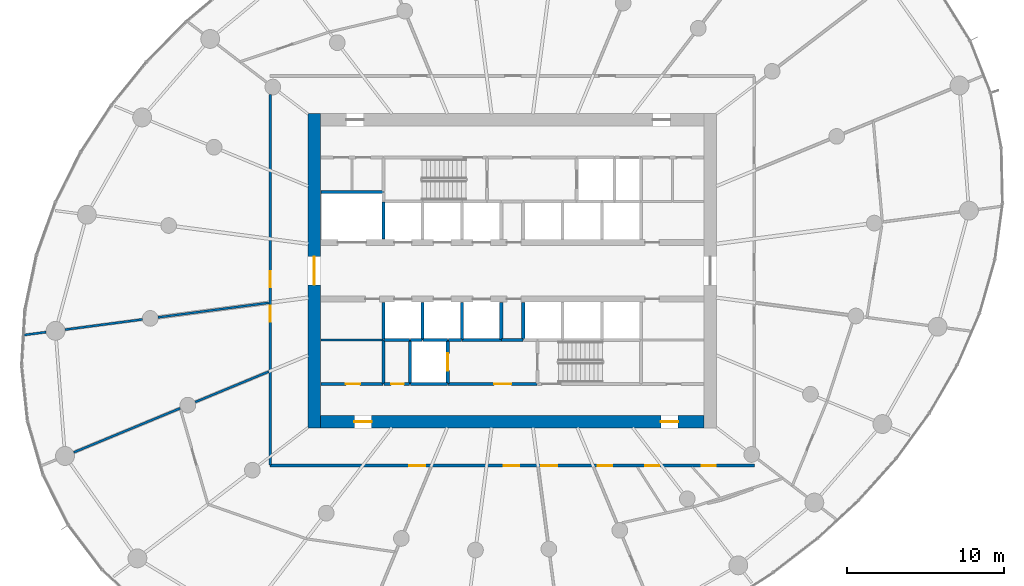
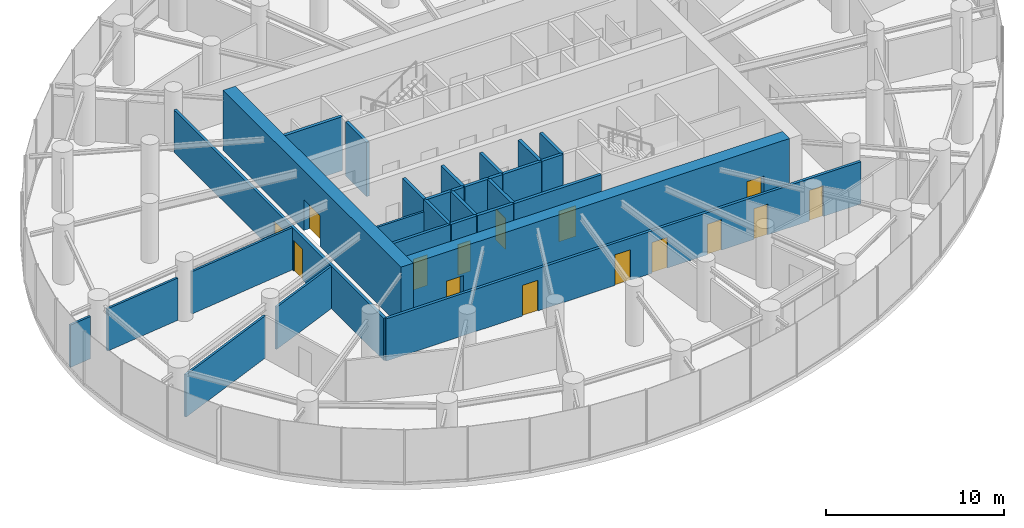
# One storey, part 10 of 17: 30 walls, 15 doors, 15 openings.
"""IFC4 building model written with IfcOpenShell, lengths in metres."""

from ifc_helpers import new_model, si_unit, direction, frame, frame_2d, origin, place, context, subcontext, project, spatial, rectangle, extrude, source, transform, mapped, material, layer, layer_set, type_object, element, fill, save


model = new_model("IFC4")

# Units and contexts
model_context = context("Model", 3, precision=1e-05, world=origin(), true_north=direction((0.0, 1.0)))
body_context = subcontext(model_context, "Body", "Model", "MODEL_VIEW")
ifc_project = project(units=[si_unit("LENGTHUNIT", "METRE"), si_unit("AREAUNIT", "SQUARE_METRE"), si_unit("VOLUMEUNIT", "CUBIC_METRE"), si_unit("PLANEANGLEUNIT", "RADIAN"), si_unit("MASSUNIT", "GRAM", prefix="KILO")], contexts=[model_context])

# Site, building, storey
site_placement = place(None, origin())
site = spatial("IfcSite", under=ifc_project, at=site_placement, CompositionType="ELEMENT")
building_placement = place(site_placement, origin())
building = spatial("IfcBuilding", under=site, at=building_placement, Name="Spindrift Exchange Tower", CompositionType="ELEMENT")
storey_placement = place(building_placement, frame((0.0, 0.0, 104.39990234375)))
storey = spatial("IfcBuildingStorey", under=building, at=storey_placement, Name="L24", CompositionType="ELEMENT", Elevation=104.39990234375)

# Wall, opening, door
ifc_material_1 = material(Name="Concrete 65 MPa", Category="concrete")
ifc_layer_1 = layer(ifc_material_1, 0.800048828125)
ifc_layer_set_1 = layer_set([ifc_layer_1], Name="RC Core Wall 800 Concrete 65 MPa")
wall_type_1 = type_object("IfcWallType", Name="RC Core Wall 800 Concrete 65 MPa", PredefinedType="SHEAR", material=ifc_layer_set_1)
wall_1_placement = place(storey_placement, frame((39.39990234375, 58.0, 0.0), z_axis=(0.0, 0.0, 1.0), x_axis=(0.0, -1.0, 0.0)))
wall_1 = element("IfcWall", 1, at=wall_1_placement, inside=storey, type_object=wall_type_1, Name="Core wall W L24", PredefinedType="SHEAR", context=body_context, shape_type="SweptSolid", body=[
    extrude(rectangle(XDim=20.0, YDim=0.800048828125, at=frame_2d((10.0, 0.0))), origin(), (0.0, 0.0, 1.0), 4.10009765625),
])
opening_1_placement = place(wall_1_placement, frame((9.10009765625, 0.0, 0.0)))
opening_1 = element("IfcOpeningElement", 2, at=opening_1_placement, cuts=wall_1, Name="Opening L24-D1", PredefinedType="OPENING", context=body_context, shape_type="SweptSolid", body=[
    extrude(rectangle(XDim=1.800048828125, YDim=2.10009765625, at=frame_2d((0.89990234375, 1.050048828125))), frame((0.0, 0.409912109375, 0.0), z_axis=(0.0, -1.0, 0.0), x_axis=(1.0, 0.0, 0.0)), (0.0, 0.0, 1.0), 0.820068359375),
])
ifc_material_2 = material(Name="Timber-core fire door", Category="wood")
door_type_1 = type_object("IfcDoorType", Name="DR-LOBBY-1800", OperationType="NOTDEFINED", PredefinedType="DOOR", material=ifc_material_2)
shared_shape_1 = source(origin(), body_context, "Body", "SweptSolid", [
    extrude(rectangle(XDim=1.800048828125, YDim=2.10009765625, at=frame_2d((0.89990234375, 1.050048828125))), frame((0.0, 0.02490234375, 0.0), z_axis=(0.0, -1.0, 0.0), x_axis=(1.0, 0.0, 0.0)), (0.0, 0.0, 1.0), 0.050048828125),
])
door_1_placement = place(opening_1_placement, origin())
door_1 = element("IfcDoor", 3, at=door_1_placement, inside=storey, type_object=door_type_1, Name="L24 Lobby door 1", OperationType="SINGLE_SWING_LEFT", OverallHeight=2.10009765625, OverallWidth=1.800048828125, PredefinedType="DOOR", context=body_context, shape_type="MappedRepresentation", body=[
    mapped(shared_shape_1, transform((0.0, 0.0, 0.0), scale=1.0)),
])
fill(opening_1, door_1)

# Wall, openings, doors
wall_2_placement = place(storey_placement, frame((39.800048828125, 38.39990234375, 0.0), z_axis=(0.0, 0.0, 1.0), x_axis=(1.0, 0.0, 0.0)))
wall_2 = element("IfcWall", 4, at=wall_2_placement, inside=storey, type_object=wall_type_1, Name="Core wall S L24", PredefinedType="SHEAR", context=body_context, shape_type="SweptSolid", body=[
    extrude(rectangle(XDim=24.39990234375, YDim=0.800048828125, at=frame_2d((12.199951171875, 0.0))), origin(), (0.0, 0.0, 1.0), 4.10009765625),
])
opening_2_placement = place(wall_2_placement, frame((21.64990234375, 0.0, 0.0)))
opening_2 = element("IfcOpeningElement", 5, at=opening_2_placement, cuts=wall_2, Name="Opening L24-D22", PredefinedType="OPENING", context=body_context, shape_type="SweptSolid", body=[
    extrude(rectangle(XDim=1.10009765625, YDim=2.10009765625, at=frame_2d((0.550048828125, 1.050048828125))), frame((0.0, 0.409912109375, 0.0), z_axis=(0.0, -1.0, 0.0), x_axis=(1.0, 0.0, 0.0)), (0.0, 0.0, 1.0), 0.820068359375),
])
opening_3_placement = place(wall_2_placement, frame((2.14990234375, 0.0, 0.0)))
opening_3 = element("IfcOpeningElement", 6, at=opening_3_placement, cuts=wall_2, Name="Opening L24-D23", PredefinedType="OPENING", context=body_context, shape_type="SweptSolid", body=[
    extrude(rectangle(XDim=1.10009765625, YDim=2.10009765625, at=frame_2d((0.550048828125, 1.050048828125))), frame((0.0, 0.409912109375, 0.0), z_axis=(0.0, -1.0, 0.0), x_axis=(1.0, 0.0, 0.0)), (0.0, 0.0, 1.0), 0.820068359375),
])
ifc_material_3 = material(Name="Steel fire door", Category="steel")
door_type_2 = type_object("IfcDoorType", Name="DR-STAIR-1100", OperationType="NOTDEFINED", PredefinedType="DOOR", material=ifc_material_3)
shared_shape_2 = source(origin(), body_context, "Body", "SweptSolid", [
    extrude(rectangle(XDim=1.10009765625, YDim=2.10009765625, at=frame_2d((0.550048828125, 1.050048828125))), frame((0.0, 0.02490234375, 0.0), z_axis=(0.0, -1.0, 0.0), x_axis=(1.0, 0.0, 0.0)), (0.0, 0.0, 1.0), 0.050048828125),
])
door_2_placement = place(opening_2_placement, origin())
door_2 = element("IfcDoor", 7, at=door_2_placement, inside=storey, type_object=door_type_2, Name="L24 Stair door 22", OperationType="SINGLE_SWING_RIGHT", OverallHeight=2.10009765625, OverallWidth=1.10009765625, PredefinedType="DOOR", context=body_context, shape_type="MappedRepresentation", body=[
    mapped(shared_shape_2, transform((0.0, 0.0, 0.0), scale=1.0)),
])
fill(opening_2, door_2)
door_3_placement = place(opening_3_placement, origin())
door_3 = element("IfcDoor", 8, at=door_3_placement, inside=storey, type_object=door_type_2, Name="L24 Stair door 23", OperationType="SINGLE_SWING_LEFT", OverallHeight=2.10009765625, OverallWidth=1.10009765625, PredefinedType="DOOR", context=body_context, shape_type="MappedRepresentation", body=[
    mapped(shared_shape_2, transform((0.0, 0.0, 0.0), scale=1.0)),
])
fill(opening_3, door_3)

# Wall, opening, door
ifc_material_4 = material(Name="Fire-rated plasterboard partition", Category="gypsum")
ifc_layer_2 = layer(ifc_material_4, 0.179931640625)
ifc_layer_set_2 = layer_set([ifc_layer_2], Name="W-CORR-180")
wall_type_2 = type_object("IfcWallType", Name="W-CORR-180", PredefinedType="PARTITIONING", material=ifc_layer_set_2)
wall_3_placement = place(storey_placement, frame((39.820068359375, 40.800048828125, 0.0), z_axis=(0.0, 0.0, 1.0), x_axis=(1.0, 0.0, 0.0)))
wall_3 = element("IfcWall", 9, at=wall_3_placement, inside=storey, type_object=wall_type_2, Name="L24 Partition wall 63", PredefinedType="PARTITIONING", context=body_context, shape_type="SweptSolid", body=[
    extrude(rectangle(XDim=3.949951171875, YDim=0.179931640625, at=frame_2d((1.97509765625, 0.0))), origin(), (0.0, 0.0, 1.0), 3.7001953125),
])
opening_4_placement = place(wall_3_placement, frame((1.60009765625, 0.0, 0.0)))
opening_4 = element("IfcOpeningElement", 10, at=opening_4_placement, cuts=wall_3, Name="Opening L24-D48", PredefinedType="OPENING", context=body_context, shape_type="SweptSolid", body=[
    extrude(rectangle(XDim=0.89990234375, YDim=2.10009765625, at=frame_2d((0.449951171875, 1.050048828125))), frame((0.0, 0.099853515625, 0.0), z_axis=(0.0, -1.0, 0.0), x_axis=(1.0, 0.0, 0.0)), (0.0, 0.0, 1.0), 0.199951171875),
])
ifc_material_5 = material(Name="Steel access door", Category="steel")
door_type_3 = type_object("IfcDoorType", Name="DR-RISER-900", OperationType="NOTDEFINED", PredefinedType="DOOR", material=ifc_material_5)
shared_shape_3 = source(origin(), body_context, "Body", "SweptSolid", [
    extrude(rectangle(XDim=0.89990234375, YDim=2.10009765625, at=frame_2d((0.449951171875, 1.050048828125))), frame((0.0, 0.02490234375, 0.0), z_axis=(0.0, -1.0, 0.0), x_axis=(1.0, 0.0, 0.0)), (0.0, 0.0, 1.0), 0.050048828125),
])
door_4_placement = place(opening_4_placement, origin())
door_4 = element("IfcDoor", 11, at=door_4_placement, inside=storey, type_object=door_type_3, Name="L24 Riser door 48", OperationType="SINGLE_SWING_RIGHT", OverallHeight=2.10009765625, OverallWidth=0.89990234375, PredefinedType="DOOR", context=body_context, shape_type="MappedRepresentation", body=[
    mapped(shared_shape_3, transform((0.0, 0.0, 0.0), scale=1.0)),
])
fill(opening_4, door_4)

# Walls
ifc_layer_3 = layer(ifc_material_4, 0.139892578125)
ifc_layer_set_3 = layer_set([ifc_layer_3], Name="W-PART-140")
wall_type_3 = type_object("IfcWallType", Name="W-PART-140", PredefinedType="PARTITIONING", material=ifc_layer_set_3)
wall_4_placement = place(storey_placement, frame((43.77001953125, 43.60009765625, 0.0), z_axis=(0.0, 0.0, 1.0), x_axis=(-1.0, 0.0, 0.0)))
element("IfcWall", 12, at=wall_4_placement, inside=storey, type_object=wall_type_3, Name="L24 Partition wall 94", PredefinedType="PARTITIONING", context=body_context, shape_type="SweptSolid", body=[
    extrude(rectangle(XDim=3.949951171875, YDim=0.139892578125, at=frame_2d((1.97509765625, 0.0))), origin(), (0.0, 0.0, 1.0), 2.900146484375),
])
ifc_layer_4 = layer(ifc_material_4, 0.139892578125)
ifc_layer_set_4 = layer_set([ifc_layer_4], Name="W-PLANT-140")
wall_type_4 = type_object("IfcWallType", Name="W-PLANT-140", PredefinedType="PARTITIONING", material=ifc_layer_set_4)
wall_5_placement = place(storey_placement, frame((30.8701171875, 39.247802734375, 0.0), z_axis=(0.0, 0.0, 1.0), x_axis=(-0.923871790576, -0.382702122514, 0.0)))
element("IfcWall", 13, at=wall_5_placement, inside=storey, type_object=wall_type_4, Name="L24 Partition wall 67", PredefinedType="PARTITIONING", context=body_context, shape_type="SweptSolid", body=[
    extrude(rectangle(XDim=7.32421875, YDim=0.139892578125, at=frame_2d((3.662109375, 0.0))), origin(), (0.0, 0.0, 1.0), 2.900146484375),
])
wall_6_placement = place(storey_placement, frame((36.510009765625, 45.960693359375, 0.0), z_axis=(0.0, 0.0, 1.0), x_axis=(-0.99144622305, -0.130515848849, 0.0)))
element("IfcWall", 14, at=wall_6_placement, inside=storey, type_object=wall_type_4, Name="L24 Partition wall 68", PredefinedType="PARTITIONING", context=body_context, shape_type="SweptSolid", body=[
    extrude(rectangle(XDim=7.1044921875, YDim=0.139892578125, at=frame_2d((3.55224609375, 0.0))), origin(), (0.0, 0.0, 1.0), 2.900146484375),
])
wall_7_placement = place(storey_placement, frame((36.510009765625, 41.583740234375, 0.0), z_axis=(0.0, 0.0, 1.0), x_axis=(-0.923890025086, -0.382658100067, 0.0)))
element("IfcWall", 15, at=wall_7_placement, inside=storey, type_object=wall_type_4, Name="L24 Partition wall 83", PredefinedType="PARTITIONING", context=body_context, shape_type="SweptSolid", body=[
    extrude(rectangle(XDim=5.068359375, YDim=0.139892578125, at=frame_2d((2.5341796875, 0.0))), origin(), (0.0, 0.0, 1.0), 2.900146484375),
])
wall_8_placement = place(storey_placement, frame((28.466064453125, 44.901611328125, 0.0), z_axis=(0.0, 0.0, 1.0), x_axis=(-0.991443414541, -0.130537181533, 0.0)))
element("IfcWall", 16, at=wall_8_placement, inside=storey, type_object=wall_type_4, Name="L24 Partition wall 85", PredefinedType="PARTITIONING", context=body_context, shape_type="SweptSolid", body=[
    extrude(rectangle(XDim=4.965576171875, YDim=0.139892578125, at=frame_2d((2.48291015625, 0.0))), origin(), (0.0, 0.0, 1.0), 2.900146484375),
])
wall_9_placement = place(storey_placement, frame((22.344482421875, 44.095703125, 0.0), z_axis=(0.0, 0.0, 1.0), x_axis=(-0.991440859851, -0.130556583206, 0.0)))
element("IfcWall", 17, at=wall_9_placement, inside=storey, type_object=wall_type_4, Name="L24 Partition wall 115", PredefinedType="PARTITIONING", context=body_context, shape_type="SweptSolid", body=[
    extrude(rectangle(XDim=1.423095703125, YDim=0.139892578125, at=frame_2d((0.71142578125, 0.0))), origin(), (0.0, 0.0, 1.0), 2.900146484375),
])

# Wall, openings, doors
ifc_layer_5 = layer(ifc_material_4, 0.179931640625)
ifc_layer_set_5 = layer_set([ifc_layer_5], Name="W-PLANT-180")
wall_type_5 = type_object("IfcWallType", Name="W-PLANT-180", PredefinedType="PARTITIONING", material=ifc_layer_set_5)
wall_10_placement = place(storey_placement, frame((67.39990234375, 35.60009765625, 0.0), z_axis=(0.0, 0.0, 1.0), x_axis=(-1.0, 0.0, 0.0)))
wall_10 = element("IfcWall", 18, at=wall_10_placement, inside=storey, type_object=wall_type_5, Name="L24 Partition wall 57", PredefinedType="PARTITIONING", context=body_context, shape_type="SweptSolid", body=[
    extrude(rectangle(XDim=30.7998046875, YDim=0.179931640625, at=frame_2d((15.39990234375, 0.0))), origin(), (0.0, 0.0, 1.0), 2.900146484375),
])
opening_5_placement = place(wall_10_placement, frame((9.050048828125, 0.0, 0.0)))
opening_5 = element("IfcOpeningElement", 19, at=opening_5_placement, cuts=wall_10, Name="Opening L24-D24", PredefinedType="OPENING", context=body_context, shape_type="SweptSolid", body=[
    extrude(rectangle(XDim=0.89990234375, YDim=2.10009765625, at=frame_2d((0.449951171875, 1.050048828125))), frame((0.0, 0.099853515625, 0.0), z_axis=(0.0, -1.0, 0.0), x_axis=(1.0, 0.0, 0.0)), (0.0, 0.0, 1.0), 0.199951171875),
])
opening_6_placement = place(wall_10_placement, frame((6.050048828125, 0.0, 0.0)))
opening_6 = element("IfcOpeningElement", 20, at=opening_6_placement, cuts=wall_10, Name="Opening L24-D25", PredefinedType="OPENING", context=body_context, shape_type="SweptSolid", body=[
    extrude(rectangle(XDim=0.89990234375, YDim=2.10009765625, at=frame_2d((0.449951171875, 1.050048828125))), frame((0.0, 0.099853515625, 0.0), z_axis=(0.0, -1.0, 0.0), x_axis=(1.0, 0.0, 0.0)), (0.0, 0.0, 1.0), 0.199951171875),
])
opening_7_placement = place(wall_10_placement, frame((2.449951171875, 0.0, 0.0)))
opening_7 = element("IfcOpeningElement", 21, at=opening_7_placement, cuts=wall_10, Name="Opening L24-D26", PredefinedType="OPENING", context=body_context, shape_type="SweptSolid", body=[
    extrude(rectangle(XDim=0.89990234375, YDim=2.10009765625, at=frame_2d((0.449951171875, 1.050048828125))), frame((0.0, 0.099853515625, 0.0), z_axis=(0.0, -1.0, 0.0), x_axis=(1.0, 0.0, 0.0)), (0.0, 0.0, 1.0), 0.199951171875),
])
opening_8_placement = place(wall_10_placement, frame((20.949951171875, 0.0, 0.0)))
opening_8 = element("IfcOpeningElement", 22, at=opening_8_placement, cuts=wall_10, Name="Opening L24-D41", PredefinedType="OPENING", context=body_context, shape_type="SweptSolid", body=[
    extrude(rectangle(XDim=1.0, YDim=2.10009765625, at=frame_2d((0.5, 1.050048828125))), frame((0.0, 0.099853515625, 0.0), z_axis=(0.0, -1.0, 0.0), x_axis=(1.0, 0.0, 0.0)), (0.0, 0.0, 1.0), 0.199951171875),
])
opening_9_placement = place(wall_10_placement, frame((14.949951171875, 0.0, 0.0)))
opening_9 = element("IfcOpeningElement", 23, at=opening_9_placement, cuts=wall_10, Name="Opening L24-D43", PredefinedType="OPENING", context=body_context, shape_type="SweptSolid", body=[
    extrude(rectangle(XDim=1.0, YDim=2.10009765625, at=frame_2d((0.5, 1.050048828125))), frame((0.0, 0.099853515625, 0.0), z_axis=(0.0, -1.0, 0.0), x_axis=(1.0, 0.0, 0.0)), (0.0, 0.0, 1.0), 0.199951171875),
])
opening_10_placement = place(wall_10_placement, frame((12.550048828125, 0.0, 0.0)))
opening_10 = element("IfcOpeningElement", 24, at=opening_10_placement, cuts=wall_10, Name="Opening L24-D44", PredefinedType="OPENING", context=body_context, shape_type="SweptSolid", body=[
    extrude(rectangle(XDim=1.0, YDim=2.10009765625, at=frame_2d((0.5, 1.050048828125))), frame((0.0, 0.099853515625, 0.0), z_axis=(0.0, -1.0, 0.0), x_axis=(1.0, 0.0, 0.0)), (0.0, 0.0, 1.0), 0.199951171875),
])
door_type_4 = type_object("IfcDoorType", Name="DR-ROOM-1000", OperationType="NOTDEFINED", PredefinedType="DOOR", material=ifc_material_2)
shared_shape_4 = source(origin(), body_context, "Body", "SweptSolid", [
    extrude(rectangle(XDim=1.0, YDim=2.10009765625, at=frame_2d((0.5, 1.050048828125))), frame((0.0, 0.02490234375, 0.0), z_axis=(0.0, -1.0, 0.0), x_axis=(1.0, 0.0, 0.0)), (0.0, 0.0, 1.0), 0.050048828125),
])
door_5_placement = place(opening_8_placement, origin())
door_5 = element("IfcDoor", 25, at=door_5_placement, inside=storey, type_object=door_type_4, Name="L24 Door 41", OperationType="SINGLE_SWING_LEFT", OverallHeight=2.10009765625, OverallWidth=1.0, PredefinedType="DOOR", context=body_context, shape_type="MappedRepresentation", body=[
    mapped(shared_shape_4, transform((0.0, 0.0, 0.0), scale=1.0)),
])
fill(opening_8, door_5)
door_6_placement = place(opening_9_placement, origin())
door_6 = element("IfcDoor", 26, at=door_6_placement, inside=storey, type_object=door_type_4, Name="L24 Door 43", OperationType="SINGLE_SWING_LEFT", OverallHeight=2.10009765625, OverallWidth=1.0, PredefinedType="DOOR", context=body_context, shape_type="MappedRepresentation", body=[
    mapped(shared_shape_4, transform((0.0, 0.0, 0.0), scale=1.0)),
])
fill(opening_9, door_6)
door_7_placement = place(opening_10_placement, origin())
door_7 = element("IfcDoor", 27, at=door_7_placement, inside=storey, type_object=door_type_4, Name="L24 Door 44", OperationType="SINGLE_SWING_RIGHT", OverallHeight=2.10009765625, OverallWidth=1.0, PredefinedType="DOOR", context=body_context, shape_type="MappedRepresentation", body=[
    mapped(shared_shape_4, transform((0.0, 0.0, 0.0), scale=1.0)),
])
fill(opening_10, door_7)
ifc_material_6 = material(Name="Laminate washroom door", Category="wood")
door_type_5 = type_object("IfcDoorType", Name="DR-WC-900", OperationType="NOTDEFINED", PredefinedType="DOOR", material=ifc_material_6)
shared_shape_5 = source(origin(), body_context, "Body", "SweptSolid", [
    extrude(rectangle(XDim=0.89990234375, YDim=2.10009765625, at=frame_2d((0.449951171875, 1.050048828125))), frame((0.0, 0.02490234375, 0.0), z_axis=(0.0, -1.0, 0.0), x_axis=(1.0, 0.0, 0.0)), (0.0, 0.0, 1.0), 0.050048828125),
])
door_8_placement = place(opening_5_placement, origin())
door_8 = element("IfcDoor", 28, at=door_8_placement, inside=storey, type_object=door_type_5, Name="L24 WC door 24", OperationType="SINGLE_SWING_RIGHT", OverallHeight=2.10009765625, OverallWidth=0.89990234375, PredefinedType="DOOR", context=body_context, shape_type="MappedRepresentation", body=[
    mapped(shared_shape_5, transform((0.0, 0.0, 0.0), scale=1.0)),
])
fill(opening_5, door_8)
door_9_placement = place(opening_6_placement, origin())
door_9 = element("IfcDoor", 29, at=door_9_placement, inside=storey, type_object=door_type_5, Name="L24 WC door 25", OperationType="SINGLE_SWING_LEFT", OverallHeight=2.10009765625, OverallWidth=0.89990234375, PredefinedType="DOOR", context=body_context, shape_type="MappedRepresentation", body=[
    mapped(shared_shape_5, transform((0.0, 0.0, 0.0), scale=1.0)),
])
fill(opening_6, door_9)
door_10_placement = place(opening_7_placement, origin())
door_10 = element("IfcDoor", 30, at=door_10_placement, inside=storey, type_object=door_type_5, Name="L24 WC door 26", OperationType="SINGLE_SWING_RIGHT", OverallHeight=2.10009765625, OverallWidth=0.89990234375, PredefinedType="DOOR", context=body_context, shape_type="MappedRepresentation", body=[
    mapped(shared_shape_5, transform((0.0, 0.0, 0.0), scale=1.0)),
])
fill(opening_7, door_10)

wall_11_placement = place(storey_placement, frame((36.60009765625, 35.6298828125, 0.0), z_axis=(0.0, 0.0, 1.0), x_axis=(0.0, 1.0, 0.0)))
wall_11 = element("IfcWall", 31, at=wall_11_placement, inside=storey, type_object=wall_type_5, Name="L24 Partition wall 60", PredefinedType="PARTITIONING", context=body_context, shape_type="SweptSolid", body=[
    extrude(rectangle(XDim=23.58251953125, YDim=0.179931640625, at=frame_2d((11.791259765625, 0.0))), origin(), (0.0, 0.0, 1.0), 2.900146484375),
])
opening_11_placement = place(wall_11_placement, frame((11.33251953125, 0.0, 0.0)))
opening_11 = element("IfcOpeningElement", 32, at=opening_11_placement, cuts=wall_11, Name="Opening L24-D39", PredefinedType="OPENING", context=body_context, shape_type="SweptSolid", body=[
    extrude(rectangle(XDim=1.0, YDim=2.10009765625, at=frame_2d((0.5, 1.050048828125))), frame((0.0, 0.099853515625, 0.0), z_axis=(0.0, -1.0, 0.0), x_axis=(1.0, 0.0, 0.0)), (0.0, 0.0, 1.0), 0.199951171875),
])
opening_12_placement = place(wall_11_placement, frame((9.132568359375, 0.0, 0.0)))
opening_12 = element("IfcOpeningElement", 33, at=opening_12_placement, cuts=wall_11, Name="Opening L24-D40", PredefinedType="OPENING", context=body_context, shape_type="SweptSolid", body=[
    extrude(rectangle(XDim=1.0, YDim=2.10009765625, at=frame_2d((0.5, 1.050048828125))), frame((0.0, 0.099853515625, 0.0), z_axis=(0.0, -1.0, 0.0), x_axis=(1.0, 0.0, 0.0)), (0.0, 0.0, 1.0), 0.199951171875),
])
door_11_placement = place(opening_11_placement, origin())
door_11 = element("IfcDoor", 34, at=door_11_placement, inside=storey, type_object=door_type_4, Name="L24 Door 39", OperationType="SINGLE_SWING_LEFT", OverallHeight=2.10009765625, OverallWidth=1.0, PredefinedType="DOOR", context=body_context, shape_type="MappedRepresentation", body=[
    mapped(shared_shape_4, transform((0.0, 0.0, 0.0), scale=1.0)),
])
fill(opening_11, door_11)
door_12_placement = place(opening_12_placement, origin())
door_12 = element("IfcDoor", 35, at=door_12_placement, inside=storey, type_object=door_type_4, Name="L24 Door 40", OperationType="SINGLE_SWING_RIGHT", OverallHeight=2.10009765625, OverallWidth=1.0, PredefinedType="DOOR", context=body_context, shape_type="MappedRepresentation", body=[
    mapped(shared_shape_4, transform((0.0, 0.0, 0.0), scale=1.0)),
])
fill(opening_12, door_12)

# Walls
ifc_material_7 = material(Name="Concrete 40 MPa", Category="concrete")
ifc_layer_6 = layer(ifc_material_7, 0.199951171875)
ifc_layer_set_6 = layer_set([ifc_layer_6], Name="W-SHAFT-200")
wall_type_6 = type_object("IfcWallType", Name="W-SHAFT-200", PredefinedType="SOLIDWALL", material=ifc_layer_set_6)
for number, where, z_axis, x_axis, name in (
    (36, (43.800048828125, 43.60009765625, 0.0), (0.0, 0.0, 1.0), (0.0, -1.0, 0.0), "L24 Shaft wall 6"),
    (37, (45.5, 43.60009765625, 0.0), (0.0, 0.0, 1.0), (0.0, -1.0, 0.0), "L24 Shaft wall 7"),
):
    element("IfcWall", number, at=place(storey_placement, frame(where, z_axis=z_axis, x_axis=x_axis)), inside=storey, type_object=wall_type_6, Name=name, PredefinedType="SOLIDWALL", context=body_context, shape_type="SweptSolid", body=[
        extrude(rectangle(XDim=2.800048828125, YDim=0.199951171875, at=frame_2d((1.39990234375, 0.0))), origin(), (0.0, 0.0, 1.0), 3.7001953125),
    ])

# Wall, opening, door
wall_12_placement = place(storey_placement, frame((47.89990234375, 40.830078125, 0.0), z_axis=(0.0, 0.0, 1.0), x_axis=(0.0, 1.0, 0.0)))
wall_12 = element("IfcWall", 38, at=wall_12_placement, inside=storey, type_object=wall_type_6, Name="L24 Shaft wall 8", PredefinedType="SOLIDWALL", context=body_context, shape_type="SweptSolid", body=[
    extrude(rectangle(XDim=2.77001953125, YDim=0.199951171875, at=frame_2d((1.385009765625, 0.0))), origin(), (0.0, 0.0, 1.0), 3.7001953125),
])
opening_13_placement = place(wall_12_placement, frame((0.820068359375, 0.0, 0.0)))
opening_13 = element("IfcOpeningElement", 39, at=opening_13_placement, cuts=wall_12, Name="Opening L24-D10", PredefinedType="OPENING", context=body_context, shape_type="SweptSolid", body=[
    extrude(rectangle(XDim=1.10009765625, YDim=2.10009765625, at=frame_2d((0.550048828125, 1.050048828125))), frame((0.0, 0.10986328125, 0.0), z_axis=(0.0, -1.0, 0.0), x_axis=(1.0, 0.0, 0.0)), (0.0, 0.0, 1.0), 0.219970703125),
])
ifc_material_8 = material(Name="Stainless steel landing door", Category="steel")
door_type_6 = type_object("IfcDoorType", Name="DR-LANDING-1100-SL", OperationType="DOUBLE_DOOR_SLIDING", PredefinedType="USERDEFINED", material=ifc_material_8)
shared_shape_6 = source(origin(), body_context, "Body", "SweptSolid", [
    extrude(rectangle(XDim=1.10009765625, YDim=2.10009765625, at=frame_2d((0.550048828125, 1.050048828125))), frame((0.0, 0.02490234375, 0.0), z_axis=(0.0, -1.0, 0.0), x_axis=(1.0, 0.0, 0.0)), (0.0, 0.0, 1.0), 0.050048828125),
])
door_13_placement = place(opening_13_placement, origin())
door_13 = element("IfcDoor", 40, at=door_13_placement, inside=storey, type_object=door_type_6, Name="L24 Lift landing door 10", ObjectType="LANDING DOOR", OperationType="DOUBLE_DOOR_SLIDING", OverallHeight=2.10009765625, OverallWidth=1.10009765625, PredefinedType="USERDEFINED", context=body_context, shape_type="MappedRepresentation", body=[
    mapped(shared_shape_6, transform((0.0, 0.0, 0.0), scale=1.0)),
])
fill(opening_13, door_13)

# Walls
wall_13_placement = place(storey_placement, frame((48.800048828125, 43.60009765625, 0.0), z_axis=(0.0, 0.0, 1.0), x_axis=(1.0, 0.0, 0.0)))
element("IfcWall", 41, at=wall_13_placement, inside=storey, type_object=wall_type_6, Name="L24 Shaft wall 17", PredefinedType="SOLIDWALL", context=body_context, shape_type="SweptSolid", body=[
    extrude(rectangle(XDim=2.5, YDim=0.199951171875, at=frame_2d((1.25, 0.0))), origin(), (0.0, 0.0, 1.0), 3.7001953125),
])
wall_14_placement = place(storey_placement, frame((45.530029296875, 40.800048828125, 0.0), z_axis=(0.0, 0.0, 1.0), x_axis=(1.0, 0.0, 0.0)))
element("IfcWall", 42, at=wall_14_placement, inside=storey, type_object=wall_type_6, Name="L24 Shaft wall 21", PredefinedType="SOLIDWALL", context=body_context, shape_type="SweptSolid", body=[
    extrude(rectangle(XDim=2.340087890625, YDim=0.199951171875, at=frame_2d((1.169921875, 0.0))), origin(), (0.0, 0.0, 1.0), 3.7001953125),
])
wall_15_placement = place(storey_placement, frame((43.800048828125, 45.989990234375, 0.0), z_axis=(0.0, 0.0, 1.0), x_axis=(0.0, -1.0, 0.0)))
element("IfcWall", 43, at=wall_15_placement, inside=storey, type_object=wall_type_6, Name="L24 Shaft wall 23", PredefinedType="SOLIDWALL", context=body_context, shape_type="SweptSolid", body=[
    extrude(rectangle(XDim=2.360107421875, YDim=0.199951171875, at=frame_2d((1.18017578125, 0.0))), origin(), (0.0, 0.0, 1.0), 3.7001953125),
])
wall_16_placement = place(storey_placement, frame((46.300048828125, 43.60009765625, 0.0), z_axis=(0.0, 0.0, 1.0), x_axis=(0.0, 1.0, 0.0)))
element("IfcWall", 44, at=wall_16_placement, inside=storey, type_object=wall_type_6, Name="L24 Shaft wall 25", PredefinedType="SOLIDWALL", context=body_context, shape_type="SweptSolid", body=[
    extrude(rectangle(XDim=2.389892578125, YDim=0.199951171875, at=frame_2d((1.19482421875, 0.0))), origin(), (0.0, 0.0, 1.0), 3.7001953125),
])
for number, where, z_axis, x_axis, name in (
    (45, (48.800048828125, 43.6298828125, 0.0), (0.0, 0.0, 1.0), (0.0, 1.0, 0.0), "L24 Shaft wall 27"),
    (46, (51.300048828125, 43.6298828125, 0.0), (0.0, 0.0, 1.0), (0.0, 1.0, 0.0), "L24 Shaft wall 29"),
):
    element("IfcWall", number, at=place(storey_placement, frame(where, z_axis=z_axis, x_axis=x_axis)), inside=storey, type_object=wall_type_6, Name=name, PredefinedType="SOLIDWALL", context=body_context, shape_type="SweptSolid", body=[
        extrude(rectangle(XDim=2.360107421875, YDim=0.199951171875, at=frame_2d((1.18017578125, 0.0))), origin(), (0.0, 0.0, 1.0), 3.7001953125),
    ])
wall_17_placement = place(storey_placement, frame((52.699951171875, 45.989990234375, 0.0), z_axis=(0.0, 0.0, 1.0), x_axis=(0.0, -1.0, 0.0)))
element("IfcWall", 47, at=wall_17_placement, inside=storey, type_object=wall_type_6, Name="L24 Shaft wall 31", PredefinedType="SOLIDWALL", context=body_context, shape_type="SweptSolid", body=[
    extrude(rectangle(XDim=2.389892578125, YDim=0.199951171875, at=frame_2d((1.19482421875, 0.0))), origin(), (0.0, 0.0, 1.0), 3.7001953125),
])
wall_18_placement = place(storey_placement, frame((43.830078125, 43.60009765625, 0.0), z_axis=(0.0, 0.0, 1.0), x_axis=(1.0, 0.0, 0.0)))
element("IfcWall", 48, at=wall_18_placement, inside=storey, type_object=wall_type_6, Name="L24 Shaft wall 40", PredefinedType="SOLIDWALL", context=body_context, shape_type="SweptSolid", body=[
    extrude(rectangle(XDim=1.639892578125, YDim=0.199951171875, at=frame_2d((0.81982421875, 0.0))), origin(), (0.0, 0.0, 1.0), 3.7001953125),
])

# Wall, opening, door
wall_19_placement = place(storey_placement, frame((43.830078125, 40.800048828125, 0.0), z_axis=(0.0, 0.0, 1.0), x_axis=(1.0, 0.0, 0.0)))
wall_19 = element("IfcWall", 49, at=wall_19_placement, inside=storey, type_object=wall_type_6, Name="L24 Shaft wall 41", PredefinedType="SOLIDWALL", context=body_context, shape_type="SweptSolid", body=[
    extrude(rectangle(XDim=1.639892578125, YDim=0.199951171875, at=frame_2d((0.81982421875, 0.0))), origin(), (0.0, 0.0, 1.0), 3.7001953125),
])
opening_14_placement = place(wall_19_placement, frame((0.469970703125, 0.0, 0.0)))
opening_14 = element("IfcOpeningElement", 50, at=opening_14_placement, cuts=wall_19, Name="Opening L24-D19", PredefinedType="OPENING", context=body_context, shape_type="SweptSolid", body=[
    extrude(rectangle(XDim=0.800048828125, YDim=2.10009765625, at=frame_2d((0.39990234375, 1.050048828125))), frame((0.0, 0.10986328125, 0.0), z_axis=(0.0, -1.0, 0.0), x_axis=(1.0, 0.0, 0.0)), (0.0, 0.0, 1.0), 0.219970703125),
])
door_type_7 = type_object("IfcDoorType", Name="DR-RISER-800", OperationType="NOTDEFINED", PredefinedType="DOOR", material=ifc_material_5)
shared_shape_7 = source(origin(), body_context, "Body", "SweptSolid", [
    extrude(rectangle(XDim=0.800048828125, YDim=2.10009765625, at=frame_2d((0.39990234375, 1.050048828125))), frame((0.0, 0.02490234375, 0.0), z_axis=(0.0, -1.0, 0.0), x_axis=(1.0, 0.0, 0.0)), (0.0, 0.0, 1.0), 0.050048828125),
])
door_14_placement = place(opening_14_placement, origin())
door_14 = element("IfcDoor", 51, at=door_14_placement, inside=storey, type_object=door_type_7, Name="L24 Riser door 19", OperationType="SINGLE_SWING_LEFT", OverallHeight=2.10009765625, OverallWidth=0.800048828125, PredefinedType="DOOR", context=body_context, shape_type="MappedRepresentation", body=[
    mapped(shared_shape_7, transform((0.0, 0.0, 0.0), scale=1.0)),
])
fill(opening_14, door_14)

# Walls
wall_20_placement = place(storey_placement, frame((46.330078125, 43.60009765625, 0.0), z_axis=(0.0, 0.0, 1.0), x_axis=(1.0, 0.0, 0.0)))
element("IfcWall", 52, at=wall_20_placement, inside=storey, type_object=wall_type_6, Name="L24 Shaft wall 44", PredefinedType="SOLIDWALL", context=body_context, shape_type="SweptSolid", body=[
    extrude(rectangle(XDim=1.5400390625, YDim=0.199951171875, at=frame_2d((0.77001953125, 0.0))), origin(), (0.0, 0.0, 1.0), 3.7001953125),
])
wall_21_placement = place(storey_placement, frame((52.669921875, 43.60009765625, 0.0), z_axis=(0.0, 0.0, 1.0), x_axis=(-1.0, 0.0, 0.0)))
element("IfcWall", 53, at=wall_21_placement, inside=storey, type_object=wall_type_6, Name="L24 Shaft wall 48", PredefinedType="SOLIDWALL", context=body_context, shape_type="SweptSolid", body=[
    extrude(rectangle(XDim=1.33984375, YDim=0.199951171875, at=frame_2d((0.669921875, 0.0))), origin(), (0.0, 0.0, 1.0), 3.7001953125),
])
wall_22_placement = place(storey_placement, frame((47.929931640625, 43.60009765625, 0.0), z_axis=(0.0, 0.0, 1.0), x_axis=(1.0, 0.0, 0.0)))
element("IfcWall", 54, at=wall_22_placement, inside=storey, type_object=wall_type_6, Name="L24 Shaft wall 50", PredefinedType="SOLIDWALL", context=body_context, shape_type="SweptSolid", body=[
    extrude(rectangle(XDim=0.840087890625, YDim=0.199951171875, at=frame_2d((0.419921875, 0.0))), origin(), (0.0, 0.0, 1.0), 3.7001953125),
])
wall_23_placement = place(storey_placement, frame((45.530029296875, 43.60009765625, 0.0), z_axis=(0.0, 0.0, 1.0), x_axis=(1.0, 0.0, 0.0)))
element("IfcWall", 55, at=wall_23_placement, inside=storey, type_object=wall_type_6, Name="L24 Shaft wall 54", PredefinedType="SOLIDWALL", context=body_context, shape_type="SweptSolid", body=[
    extrude(rectangle(XDim=0.739990234375, YDim=0.199951171875, at=frame_2d((0.3701171875, 0.0))), origin(), (0.0, 0.0, 1.0), 3.7001953125),
])

# Wall, opening, door
ifc_layer_7 = layer(ifc_material_7, 0.199951171875)
ifc_layer_set_7 = layer_set([ifc_layer_7], Name="W-SHAFT-200-LB")
wall_type_7 = type_object("IfcWallType", Name="W-SHAFT-200-LB", PredefinedType="SOLIDWALL", material=ifc_layer_set_7)
wall_24_placement = place(storey_placement, frame((47.89990234375, 40.800048828125, 0.0), z_axis=(0.0, 0.0, 1.0), x_axis=(1.0, 0.0, 0.0)))
wall_24 = element("IfcWall", 56, at=wall_24_placement, inside=storey, type_object=wall_type_7, Name="L24 Shaft wall 3", PredefinedType="SOLIDWALL", context=body_context, shape_type="SweptSolid", body=[
    extrude(rectangle(XDim=5.670166015625, YDim=0.199951171875, at=frame_2d((2.8349609375, 0.0))), origin(), (0.0, 0.0, 1.0), 3.7001953125),
])
opening_15_placement = place(wall_24_placement, frame((2.949951171875, 0.0, 0.0)))
opening_15 = element("IfcOpeningElement", 57, at=opening_15_placement, cuts=wall_24, Name="Opening L24-D18", PredefinedType="OPENING", context=body_context, shape_type="SweptSolid", body=[
    extrude(rectangle(XDim=1.10009765625, YDim=2.10009765625, at=frame_2d((0.550048828125, 1.050048828125))), frame((0.0, 0.10986328125, 0.0), z_axis=(0.0, -1.0, 0.0), x_axis=(1.0, 0.0, 0.0)), (0.0, 0.0, 1.0), 0.219970703125),
])
door_type_8 = type_object("IfcDoorType", Name="DR-LOBBY-1100", OperationType="NOTDEFINED", PredefinedType="DOOR", material=ifc_material_2)
shared_shape_8 = source(origin(), body_context, "Body", "SweptSolid", [
    extrude(rectangle(XDim=1.10009765625, YDim=2.10009765625, at=frame_2d((0.550048828125, 1.050048828125))), frame((0.0, 0.02490234375, 0.0), z_axis=(0.0, -1.0, 0.0), x_axis=(1.0, 0.0, 0.0)), (0.0, 0.0, 1.0), 0.050048828125),
])
door_15_placement = place(opening_15_placement, origin())
door_15 = element("IfcDoor", 58, at=door_15_placement, inside=storey, type_object=door_type_8, Name="L24 Lobby door 18", OperationType="SINGLE_SWING_RIGHT", OverallHeight=2.10009765625, OverallWidth=1.10009765625, PredefinedType="DOOR", context=body_context, shape_type="MappedRepresentation", body=[
    mapped(shared_shape_8, transform((0.0, 0.0, 0.0), scale=1.0)),
])
fill(opening_15, door_15)

# Walls
wall_25_placement = place(storey_placement, frame((43.800048828125, 53.0, 0.0), z_axis=(0.0, 0.0, 1.0), x_axis=(-1.0, 0.0, 0.0)))
element("IfcWall", 59, at=wall_25_placement, inside=storey, type_object=wall_type_7, Name="L24 Shaft wall 5", PredefinedType="SOLIDWALL", context=body_context, shape_type="SweptSolid", body=[
    extrude(rectangle(XDim=3.97998046875, YDim=0.199951171875, at=frame_2d((1.989990234375, 0.0))), origin(), (0.0, 0.0, 1.0), 3.7001953125),
])
wall_26_placement = place(storey_placement, frame((43.800048828125, 52.3701171875, 0.0), z_axis=(0.0, 0.0, 1.0), x_axis=(0.0, -1.0, 0.0)))
element("IfcWall", 60, at=wall_26_placement, inside=storey, type_object=wall_type_7, Name="L24 Shaft wall 24", PredefinedType="SOLIDWALL", context=body_context, shape_type="SweptSolid", body=[
    extrude(rectangle(XDim=2.360107421875, YDim=0.199951171875, at=frame_2d((1.18017578125, 0.0))), origin(), (0.0, 0.0, 1.0), 3.7001953125),
])

save(model, "model.ifc")
